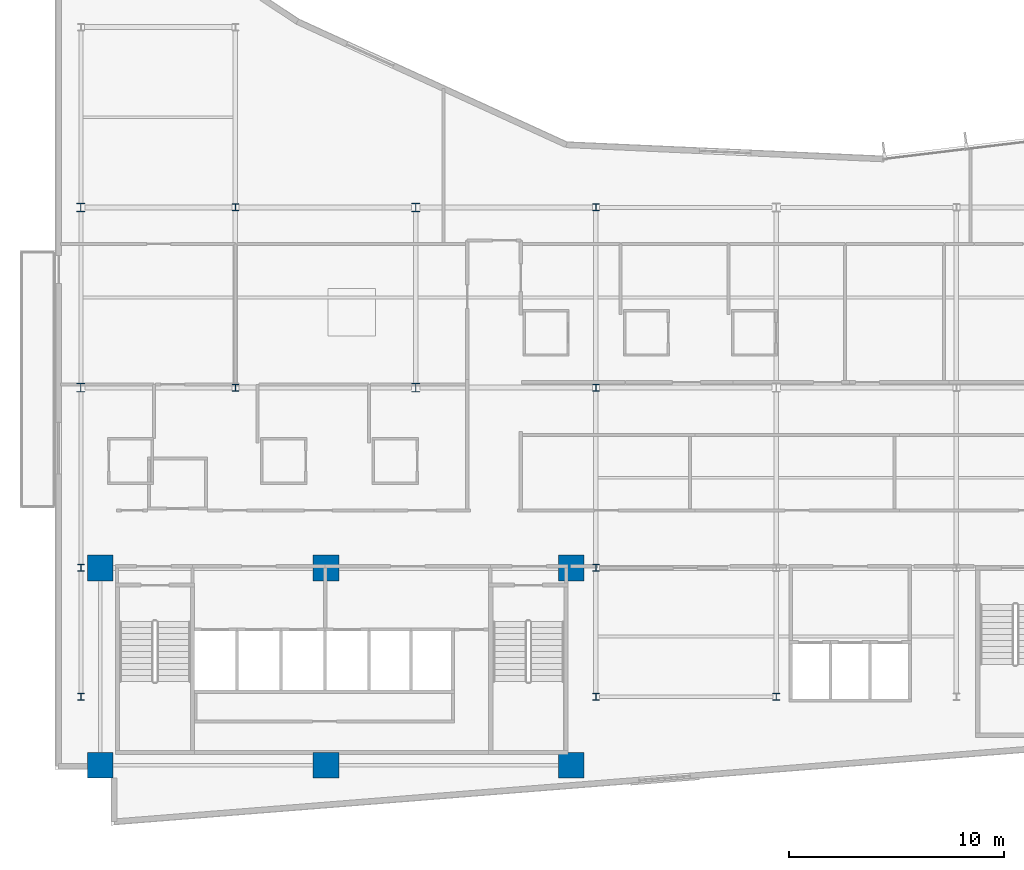
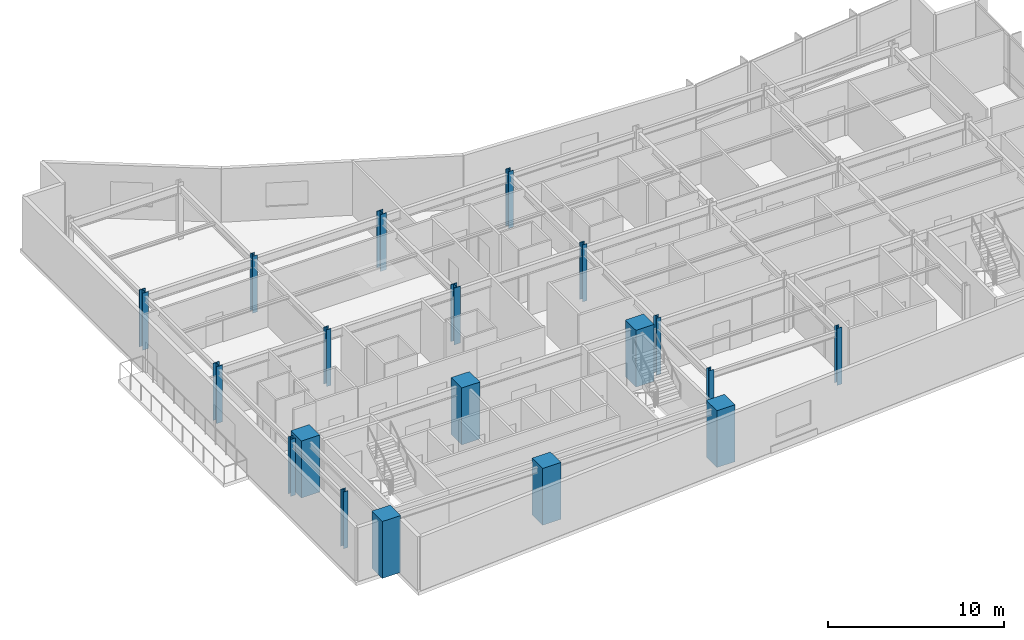
# One storey, part 1 of 19: 19 columns.
"""IFC4 building model written with IfcOpenShell, lengths in metres."""

from ifc_helpers import new_model, si_unit, direction, frame, origin, origin_2d, place, context, subcontext, project, spatial, rectangle, i_section, extrude, material, material_profile, profile_set, type_object, element, save


model = new_model("IFC4")

# Units and contexts
model_context = context("Model", 3, precision=1e-05, world=origin(), true_north=direction((0.0, 1.0)))
body_context = subcontext(model_context, "Body", "Model", "MODEL_VIEW")
ifc_project = project(units=[si_unit("LENGTHUNIT", "METRE"), si_unit("AREAUNIT", "SQUARE_METRE"), si_unit("VOLUMEUNIT", "CUBIC_METRE"), si_unit("PLANEANGLEUNIT", "RADIAN"), si_unit("MASSUNIT", "GRAM", prefix="KILO")], contexts=[model_context])

# Site, building, storey
site_placement = place(None, origin())
site = spatial("IfcSite", under=ifc_project, at=site_placement, CompositionType="ELEMENT")
building_placement = place(site_placement, origin())
building = spatial("IfcBuilding", under=site, at=building_placement, Name="Varnakote Quay Hospital", CompositionType="ELEMENT")
storey_placement = place(building_placement, frame((0.0, 0.0, 115.199951171875)))
storey = spatial("IfcBuildingStorey", under=building, at=storey_placement, Name="L28", CompositionType="ELEMENT", Elevation=115.199951171875)

# Columns
ifc_material_1 = material(Name="Concrete N80 (f'c 80 MPa)", Category="concrete")
ifc_material_profile_1 = material_profile(ifc_material_1, rectangle(XDim=1.199951171875, YDim=1.199951171875, at=origin_2d()), Name="RC-COL-1200x1200")
ifc_profile_set_1 = profile_set([ifc_material_profile_1], Name="Concrete N80 (f'c 80 MPa)")
column_type_1 = type_object("IfcColumnType", Name="COL-RC-1200", PredefinedType="COLUMN", material=ifc_profile_set_1)
for number, where, z_axis, x_axis, name in (
    (1, (2.10009765625, 2.800048828125, 0.0), (0.0, 0.0, 1.0), (1.0, 0.0, 0.0), "L28 Structural Column C-2-3"),
    (2, (12.6201171875, 2.800048828125, 0.0), (0.0, 0.0, 1.0), (1.0, 0.0, 0.0), "L28 Structural Column C-13-3"),
    (3, (24.050048828125, 2.800048828125, 0.0), (0.0, 0.0, 1.0), (1.0, 0.0, 0.0), "L28 Structural Column C-24-3"),
    (4, (2.10009765625, 12.0, 0.0), (0.0, 0.0, 1.0), (1.0, 0.0, 0.0), "L28 Structural Column C-2-12"),
    (5, (12.6201171875, 12.0, 0.0), (0.0, 0.0, 1.0), (1.0, 0.0, 0.0), "L28 Structural Column C-13-12"),
    (6, (24.050048828125, 12.0, 0.0), (0.0, 0.0, 1.0), (1.0, 0.0, 0.0), "L28 Structural Column C-24-12"),
):
    element("IfcColumn", number, at=place(storey_placement, frame(where, z_axis=z_axis, x_axis=x_axis)), inside=storey, type_object=column_type_1, Name=name, PredefinedType="COLUMN", context=body_context, shape_type="SweptSolid", body=[
        extrude(rectangle(XDim=1.199951171875, YDim=1.199951171875, at=origin_2d()), origin(), (0.0, 0.0, 1.0), 3.949951171875),
    ])
ifc_material_2 = material(Name="Structural steel AS/NZS 3679.1 Grade 350 L0 (fy 340 MPa)", Category="steel")
ifc_material_profile_2 = material_profile(ifc_material_2, i_section(OverallWidth=0.30908203125, OverallDepth=0.321044921875, WebThickness=0.013916015625, FlangeThickness=0.021728515625, FilletRadius=0.0166015625, at=origin_2d()), Name="310UC137")
ifc_profile_set_2 = profile_set([ifc_material_profile_2], Name="Structural steel AS/NZS 3679.1 Grade 350 L0 (fy 340 MPa)")
column_type_2 = type_object("IfcColumnType", Name="COL-STL-310UC137", PredefinedType="COLUMN", material=ifc_profile_set_2)
for number, where, z_axis, x_axis, name in (
    (7, (1.199951171875, 6.0, 0.0), (0.0, 0.0, 1.0), (1.0, 0.0, 0.0), "L28 Structural Column C-1-6"),
    (8, (25.199951171875, 6.0, 0.0), (0.0, 0.0, 1.0), (1.0, 0.0, 0.0), "L28 Structural Column C-25-6"),
    (9, (33.60009765625, 6.0, 0.0), (0.0, 0.0, 1.0), (1.0, 0.0, 0.0), "L28 Structural Column C-34-6"),
    (10, (1.199951171875, 12.0, 0.0), (0.0, 0.0, 1.0), (1.0, 0.0, 0.0), "L28 Structural Column C-1-12"),
    (11, (25.199951171875, 12.0, 0.0), (0.0, 0.0, 1.0), (1.0, 0.0, 0.0), "L28 Structural Column C-25-12"),
    (12, (8.39990234375, 20.39990234375, 0.0), (0.0, 0.0, 1.0), (1.0, 0.0, 0.0), "L28 Structural Column C-8-20"),
    (13, (25.199951171875, 20.39990234375, 0.0), (0.0, 0.0, 1.0), (1.0, 0.0, 0.0), "L28 Structural Column C-25-20"),
    (14, (8.39990234375, 28.800048828125, 0.0), (0.0, 0.0, 1.0), (1.0, 0.0, 0.0), "L28 Structural Column C-8-29"),
    (15, (25.199951171875, 28.800048828125, 0.0), (0.0, 0.0, 1.0), (1.0, 0.0, 0.0), "L28 Structural Column C-25-29"),
):
    element("IfcColumn", number, at=place(storey_placement, frame(where, z_axis=z_axis, x_axis=x_axis)), inside=storey, type_object=column_type_2, Name=name, PredefinedType="COLUMN", context=body_context, shape_type="SweptSolid", body=[
        extrude(i_section(OverallWidth=0.30908203125, OverallDepth=0.321044921875, WebThickness=0.013916015625, FlangeThickness=0.021728515625, FilletRadius=0.0166015625, at=origin_2d()), origin(), (0.0, 0.0, 1.0), 3.949951171875),
    ])
ifc_material_3 = material(Name="Structural steel AS/NZS 3678 Grade 350 (fy 340 MPa)", Category="steel")
ifc_material_profile_3 = material_profile(ifc_material_3, i_section(OverallWidth=0.39990234375, OverallDepth=0.419921875, WebThickness=0.02490234375, FlangeThickness=0.0400390625, at=origin_2d()), Name="400WC328")
ifc_profile_set_3 = profile_set([ifc_material_profile_3], Name="Structural steel AS/NZS 3678 Grade 350 (fy 340 MPa)")
column_type_3 = type_object("IfcColumnType", Name="COL-STL-400WC328", PredefinedType="COLUMN", material=ifc_profile_set_3)
for number, where, z_axis, x_axis, name in (
    (16, (1.199951171875, 20.39990234375, 0.0), (0.0, 0.0, 1.0), (1.0, 0.0, 0.0), "L28 Structural Column C-1-20"),
    (17, (16.800048828125, 20.39990234375, 0.0), (0.0, 0.0, 1.0), (1.0, 0.0, 0.0), "L28 Structural Column C-17-20"),
    (18, (1.199951171875, 28.800048828125, 0.0), (0.0, 0.0, 1.0), (1.0, 0.0, 0.0), "L28 Structural Column C-1-29"),
    (19, (16.800048828125, 28.800048828125, 0.0), (0.0, 0.0, 1.0), (1.0, 0.0, 0.0), "L28 Structural Column C-17-29"),
):
    element("IfcColumn", number, at=place(storey_placement, frame(where, z_axis=z_axis, x_axis=x_axis)), inside=storey, type_object=column_type_3, Name=name, PredefinedType="COLUMN", context=body_context, shape_type="SweptSolid", body=[
        extrude(i_section(OverallWidth=0.39990234375, OverallDepth=0.419921875, WebThickness=0.02490234375, FlangeThickness=0.0400390625, at=origin_2d()), origin(), (0.0, 0.0, 1.0), 3.949951171875),
    ])

save(model, "model.ifc")
